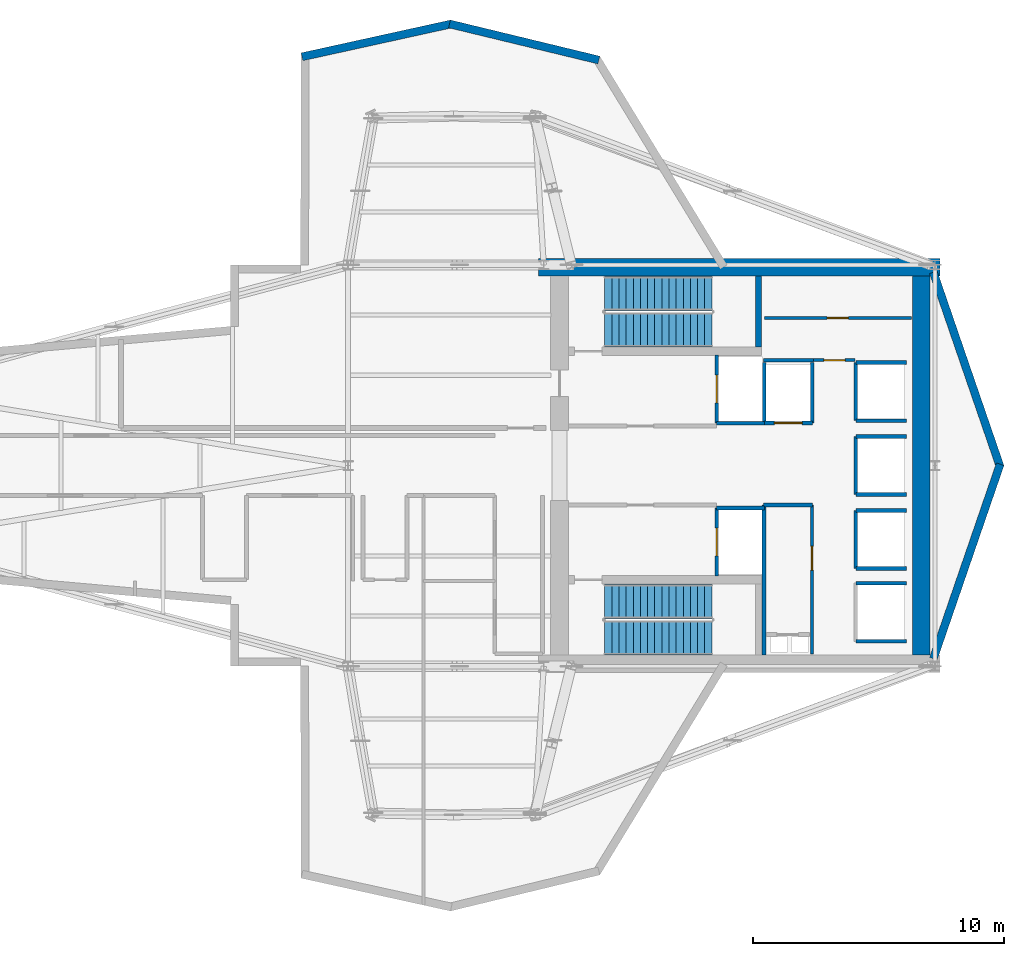
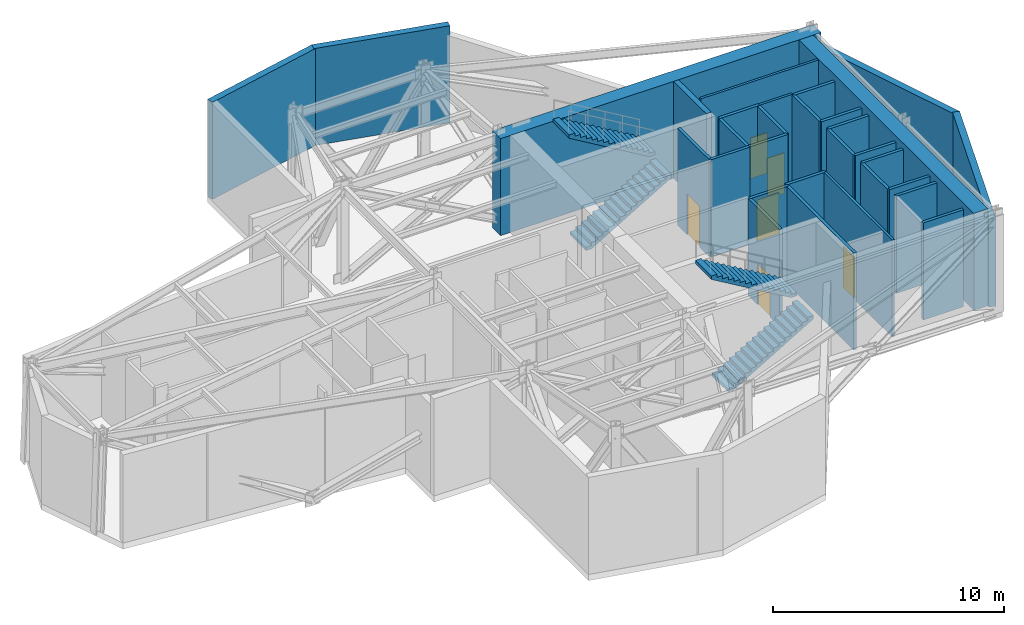
# One storey, part 4 of 5: 31 walls, 6 doors, 4 stair flights, 6 openings, 2 elements without a shape of their own.
"""IFC4 building model written with IfcOpenShell, lengths in metres."""

from ifc_helpers import new_model, si_unit, direction, frame, frame_2d, origin, place, context, subcontext, project, spatial, polyline, rectangle, outline, extrude, material, layer, layer_set, type_object, element, fill, aggregate, save


model = new_model("IFC4")

# Units and contexts
model_context = context("Model", 3, precision=1e-05, world=origin(), true_north=direction((0.0, 1.0)))
body_context = subcontext(model_context, "Body", "Model", "MODEL_VIEW")
ifc_project = project(units=[si_unit("LENGTHUNIT", "METRE"), si_unit("AREAUNIT", "SQUARE_METRE"), si_unit("VOLUMEUNIT", "CUBIC_METRE"), si_unit("PLANEANGLEUNIT", "RADIAN"), si_unit("MASSUNIT", "GRAM", prefix="KILO")], contexts=[model_context])

# Site, building, storey
site_placement = place(None, origin())
site = spatial("IfcSite", under=ifc_project, at=site_placement, CompositionType="ELEMENT")
building_placement = place(site_placement, origin())
building = spatial("IfcBuilding", under=site, at=building_placement, Name="Veymaron Broadcast Tower", CompositionType="ELEMENT")
storey_placement = place(building_placement, frame((0.0, 0.0, 181.64990234375)))
storey = spatial("IfcBuildingStorey", under=building, at=storey_placement, Name="L42", CompositionType="ELEMENT", Elevation=181.64990234375)

# Walls
ifc_material_1 = material(Name="Precast concrete C40/50", Category="concrete")
ifc_layer_1 = layer(ifc_material_1, 0.320068359375)
ifc_layer_set_1 = layer_set([ifc_layer_1], Name="Precast concrete C40/50")
wall_type_1 = type_object("IfcWallType", Name="WALL-EXT-320", PredefinedType="STANDARD", material=ifc_layer_set_1)
for number, where, z_axis, x_axis, name in (
    (1, (54.532958984375, 16.29736328125, 0.0), (0.0, 0.0, 1.0), (0.325198749636, 0.945645691174, 0.0), "L42 mechanical belt-truss facade band 2-1"),
    (2, (57.19970703125, 23.947998046875, 0.0), (0.0, 0.0, 1.0), (-0.325198749636, 0.945645691174, 0.0), "L42 mechanical belt-truss facade band 3-1"),
):
    element("IfcWall", number, at=place(storey_placement, frame(where, z_axis=z_axis, x_axis=x_axis)), inside=storey, type_object=wall_type_1, Name=name, PredefinedType="STANDARD", context=body_context, shape_type="SweptSolid", body=[
        extrude(rectangle(XDim=8.200439453125, YDim=0.320068359375, at=frame_2d((4.10009765625, 0.0))), origin(), (0.0, 0.0, 1.0), 4.649169921875),
    ])
wall_1_placement = place(storey_placement, frame((41.19970703125, 40.16650390625, 0.0), z_axis=(0.0, 0.0, 1.0), x_axis=(-0.971945697545, 0.235205359257, 0.0)))
element("IfcWall", 3, at=wall_1_placement, inside=storey, type_object=wall_type_1, Name="L42 mechanical belt-truss facade band 6-1", PredefinedType="STANDARD", context=body_context, shape_type="SweptSolid", body=[
    extrude(rectangle(XDim=6.126220703125, YDim=0.320068359375, at=frame_2d((3.06298828125, 0.0))), origin(), (0.0, 0.0, 1.0), 5.1201171875),
])
wall_2_placement = place(storey_placement, frame((35.3173828125, 41.606689453125, 0.0), z_axis=(0.0, 0.0, 1.0), x_axis=(-0.976640937295, -0.21487782482, 0.0)))
element("IfcWall", 4, at=wall_2_placement, inside=storey, type_object=wall_type_1, Name="L42 mechanical belt-truss facade band 7-1", PredefinedType="STANDARD", context=body_context, shape_type="SweptSolid", body=[
    extrude(rectangle(XDim=6.0966796875, YDim=0.320068359375, at=frame_2d((3.04833984375, 0.0))), origin(), (0.0, 0.0, 1.0), 5.1201171875),
])

# Wall, opening, door
ifc_material_2 = material(Name="Gypsum fireboard and steel stud framing", Category="steel")
ifc_layer_2 = layer(ifc_material_2, 0.14990234375)
ifc_layer_set_2 = layer_set([ifc_layer_2], Name="Gypsum fireboard and steel stud framing")
wall_type_2 = type_object("IfcWallType", Name="WALL-FIRE-150", PredefinedType="PARTITIONING", material=ifc_layer_set_2)
wall_3_placement = place(storey_placement, frame((45.89501953125, 25.68994140625, 0.0), z_axis=(0.0, 0.0, 1.0), x_axis=(0.0, 1.0, 0.0)))
wall_3 = element("IfcWall", 5, at=wall_3_placement, inside=storey, type_object=wall_type_2, Name="L42 partition IW-L42-SHW-FFL-1", PredefinedType="PARTITIONING", context=body_context, shape_type="SweptSolid", body=[
    extrude(rectangle(XDim=2.719970703125, YDim=0.14990234375, at=frame_2d((1.35986328125, 0.0))), origin(), (0.0, 0.0, 1.0), 5.1201171875),
])
opening_1_placement = place(wall_3_placement, frame((0.81005859375, 0.0, 0.0)))
opening_1 = element("IfcOpeningElement", 6, at=opening_1_placement, cuts=wall_3, Name="Opening LD", PredefinedType="OPENING", context=body_context, shape_type="SweptSolid", body=[
    extrude(rectangle(XDim=1.10009765625, YDim=2.14990234375, at=frame_2d((0.550048828125, 1.074951171875))), frame((0.0, 0.0849609375, 0.0), z_axis=(0.0, -1.0, 0.0), x_axis=(1.0, 0.0, 0.0)), (0.0, 0.0, 1.0), 0.169921875),
])
ifc_material_3 = material(Name="Brushed stainless steel AISI 304", Category="steel")
door_type_1 = type_object("IfcDoorType", Name="DOOR-LIFT-1100", OperationType="DOUBLE_DOOR_SLIDING", PredefinedType="DOOR", material=ifc_material_3)
door_1_placement = place(opening_1_placement, frame((1.10009765625, 0.0, 0.0), z_axis=(0.0, 0.0, 1.0), x_axis=(-1.0, 0.0, 0.0)))
door_1 = element("IfcDoor", 7, at=door_1_placement, inside=storey, type_object=door_type_1, Name="L42 door LD-L42-FFL-1", OperationType="DOUBLE_DOOR_SLIDING", OverallHeight=2.14990234375, OverallWidth=1.10009765625, PredefinedType="DOOR", context=body_context, shape_type="SweptSolid", body=[
    extrude(rectangle(XDim=1.10009765625, YDim=2.14990234375, at=frame_2d((0.550048828125, 1.074951171875))), frame((0.0, 0.02490234375, 0.0), z_axis=(0.0, -1.0, 0.0), x_axis=(1.0, 0.0, 0.0)), (0.0, 0.0, 1.0), 0.050048828125),
])
fill(opening_1, door_1)

# Wall
wall_4_placement = place(storey_placement, frame((45.89501953125, 25.68994140625, 0.0), z_axis=(0.0, 0.0, 1.0), x_axis=(1.0, 0.0, 0.0)))
element("IfcWall", 8, at=wall_4_placement, inside=storey, type_object=wall_type_2, Name="L42 partition IW-L42-SHS-FFL-1", PredefinedType="PARTITIONING", context=body_context, shape_type="SweptSolid", body=[
    extrude(rectangle(XDim=1.9150390625, YDim=0.14990234375, at=frame_2d((0.95751953125, 0.0))), origin(), (0.0, 0.0, 1.0), 5.1201171875),
])

# Wall, opening, door
wall_5_placement = place(storey_placement, frame((45.89501953125, 19.590087890625, 0.0), z_axis=(0.0, 0.0, 1.0), x_axis=(0.0, 1.0, 0.0)))
wall_5 = element("IfcWall", 9, at=wall_5_placement, inside=storey, type_object=wall_type_2, Name="L42 partition IW-L42-SHW-FFL-2", PredefinedType="PARTITIONING", context=body_context, shape_type="SweptSolid", body=[
    extrude(rectangle(XDim=2.719970703125, YDim=0.14990234375, at=frame_2d((1.35986328125, 0.0))), origin(), (0.0, 0.0, 1.0), 5.1201171875),
])
opening_2_placement = place(wall_5_placement, frame((0.81005859375, 0.0, 0.0)))
opening_2 = element("IfcOpeningElement", 10, at=opening_2_placement, cuts=wall_5, Name="Opening LD", PredefinedType="OPENING", context=body_context, shape_type="SweptSolid", body=[
    extrude(rectangle(XDim=1.10009765625, YDim=2.14990234375, at=frame_2d((0.550048828125, 1.074951171875))), frame((0.0, 0.0849609375, 0.0), z_axis=(0.0, -1.0, 0.0), x_axis=(1.0, 0.0, 0.0)), (0.0, 0.0, 1.0), 0.169921875),
])
door_2_placement = place(opening_2_placement, frame((1.10009765625, 0.0, 0.0), z_axis=(0.0, 0.0, 1.0), x_axis=(-1.0, 0.0, 0.0)))
door_2 = element("IfcDoor", 11, at=door_2_placement, inside=storey, type_object=door_type_1, Name="L42 door LD-L42-FFL-2", OperationType="DOUBLE_DOOR_SLIDING", OverallHeight=2.14990234375, OverallWidth=1.10009765625, PredefinedType="DOOR", context=body_context, shape_type="SweptSolid", body=[
    extrude(rectangle(XDim=1.10009765625, YDim=2.14990234375, at=frame_2d((0.550048828125, 1.074951171875))), frame((0.0, 0.02490234375, 0.0), z_axis=(0.0, -1.0, 0.0), x_axis=(1.0, 0.0, 0.0)), (0.0, 0.0, 1.0), 0.050048828125),
])
fill(opening_2, door_2)

# Wall
wall_6_placement = place(storey_placement, frame((45.89501953125, 22.31005859375, 0.0), z_axis=(0.0, 0.0, 1.0), x_axis=(1.0, 0.0, 0.0)))
element("IfcWall", 12, at=wall_6_placement, inside=storey, type_object=wall_type_2, Name="L42 partition IW-L42-SHN-FFL-2", PredefinedType="PARTITIONING", context=body_context, shape_type="SweptSolid", body=[
    extrude(rectangle(XDim=1.9150390625, YDim=0.14990234375, at=frame_2d((0.95751953125, 0.0))), origin(), (0.0, 0.0, 1.0), 5.1201171875),
])

# Wall, opening, door
wall_7_placement = place(storey_placement, frame((47.7900390625, 25.695068359375, 0.0), z_axis=(0.0, 0.0, 1.0), x_axis=(1.0, 0.0, 0.0)))
wall_7 = element("IfcWall", 13, at=wall_7_placement, inside=storey, type_object=wall_type_2, Name="L42 partition IW-L42-SHS-SL-1", PredefinedType="PARTITIONING", context=body_context, shape_type="SweptSolid", body=[
    extrude(rectangle(XDim=1.919921875, YDim=0.14990234375, at=frame_2d((0.9599609375, 0.0))), origin(), (0.0, 0.0, 1.0), 5.1201171875),
])
opening_3_placement = place(wall_7_placement, frame((0.409912109375, 0.0, 0.0)))
opening_3 = element("IfcOpeningElement", 14, at=opening_3_placement, cuts=wall_7, Name="Opening LD", PredefinedType="OPENING", context=body_context, shape_type="SweptSolid", body=[
    extrude(rectangle(XDim=1.10009765625, YDim=2.14990234375, at=frame_2d((0.550048828125, 1.074951171875))), frame((0.0, 0.0849609375, 0.0), z_axis=(0.0, -1.0, 0.0), x_axis=(1.0, 0.0, 0.0)), (0.0, 0.0, 1.0), 0.169921875),
])
door_3_placement = place(opening_3_placement, frame((1.10009765625, 0.0, 0.0), z_axis=(0.0, 0.0, 1.0), x_axis=(-1.0, 0.0, 0.0)))
door_3 = element("IfcDoor", 15, at=door_3_placement, inside=storey, type_object=door_type_1, Name="L42 door LD-L42-SL-1", OperationType="DOUBLE_DOOR_SLIDING", OverallHeight=2.14990234375, OverallWidth=1.10009765625, PredefinedType="DOOR", context=body_context, shape_type="SweptSolid", body=[
    extrude(rectangle(XDim=1.10009765625, YDim=2.14990234375, at=frame_2d((0.550048828125, 1.074951171875))), frame((0.0, 0.02490234375, 0.0), z_axis=(0.0, -1.0, 0.0), x_axis=(1.0, 0.0, 0.0)), (0.0, 0.0, 1.0), 0.050048828125),
])
fill(opening_3, door_3)

# Walls
for number, where, z_axis, x_axis, name in (
    (16, (47.7900390625, 25.695068359375, 0.0), (0.0, 0.0, 1.0), (0.0, 1.0, 0.0), "L42 partition IW-L42-SHW-SL-1"),
    (17, (49.7099609375, 25.695068359375, 0.0), (0.0, 0.0, 1.0), (0.0, 1.0, 0.0), "L42 partition IW-L42-SHE-SL-1"),
):
    element("IfcWall", number, at=place(storey_placement, frame(where, z_axis=z_axis, x_axis=x_axis)), inside=storey, type_object=wall_type_2, Name=name, PredefinedType="PARTITIONING", context=body_context, shape_type="SweptSolid", body=[
        extrude(rectangle(XDim=2.4150390625, YDim=0.14990234375, at=frame_2d((1.20751953125, 0.0))), origin(), (0.0, 0.0, 1.0), 5.1201171875),
    ])
wall_8_placement = place(storey_placement, frame((51.445068359375, 25.7900390625, 0.0), z_axis=(0.0, 0.0, 1.0), x_axis=(0.0, 1.0, 0.0)))
element("IfcWall", 18, at=wall_8_placement, inside=storey, type_object=wall_type_2, Name="L42 partition IW-L42-SHW-PM1", PredefinedType="PARTITIONING", context=body_context, shape_type="SweptSolid", body=[
    extrude(rectangle(XDim=2.320068359375, YDim=0.14990234375, at=frame_2d((1.16015625, 0.0))), origin(), (0.0, 0.0, 1.0), 5.1201171875),
])
for number, where, z_axis, x_axis, name in (
    (19, (51.445068359375, 25.7900390625, 0.0), (0.0, 0.0, 1.0), (1.0, 0.0, 0.0), "L42 partition IW-L42-SHS-PM1"),
    (20, (51.445068359375, 28.110107421875, 0.0), (0.0, 0.0, 1.0), (1.0, 0.0, 0.0), "L42 partition IW-L42-SHN-PM1"),
):
    element("IfcWall", number, at=place(storey_placement, frame(where, z_axis=z_axis, x_axis=x_axis)), inside=storey, type_object=wall_type_2, Name=name, PredefinedType="PARTITIONING", context=body_context, shape_type="SweptSolid", body=[
        extrude(rectangle(XDim=2.014892578125, YDim=0.14990234375, at=frame_2d((1.00732421875, 0.0))), origin(), (0.0, 0.0, 1.0), 5.1201171875),
    ])
wall_9_placement = place(storey_placement, frame((51.445068359375, 19.889892578125, 0.0), z_axis=(0.0, 0.0, 1.0), x_axis=(0.0, 1.0, 0.0)))
element("IfcWall", 21, at=wall_9_placement, inside=storey, type_object=wall_type_2, Name="L42 partition IW-L42-SHW-PM2", PredefinedType="PARTITIONING", context=body_context, shape_type="SweptSolid", body=[
    extrude(rectangle(XDim=2.320068359375, YDim=0.14990234375, at=frame_2d((1.16015625, 0.0))), origin(), (0.0, 0.0, 1.0), 5.1201171875),
])
for number, where, z_axis, x_axis, name in (
    (22, (51.445068359375, 19.889892578125, 0.0), (0.0, 0.0, 1.0), (1.0, 0.0, 0.0), "L42 partition IW-L42-SHS-PM2"),
    (23, (51.445068359375, 22.2099609375, 0.0), (0.0, 0.0, 1.0), (1.0, 0.0, 0.0), "L42 partition IW-L42-SHN-PM2"),
):
    element("IfcWall", number, at=place(storey_placement, frame(where, z_axis=z_axis, x_axis=x_axis)), inside=storey, type_object=wall_type_2, Name=name, PredefinedType="PARTITIONING", context=body_context, shape_type="SweptSolid", body=[
        extrude(rectangle(XDim=2.014892578125, YDim=0.14990234375, at=frame_2d((1.00732421875, 0.0))), origin(), (0.0, 0.0, 1.0), 5.1201171875),
    ])
wall_10_placement = place(storey_placement, frame((51.445068359375, 22.840087890625, 0.0), z_axis=(0.0, 0.0, 1.0), x_axis=(0.0, 1.0, 0.0)))
element("IfcWall", 24, at=wall_10_placement, inside=storey, type_object=wall_type_2, Name="L42 partition IW-L42-SHW-PM3", PredefinedType="PARTITIONING", context=body_context, shape_type="SweptSolid", body=[
    extrude(rectangle(XDim=2.31982421875, YDim=0.14990234375, at=frame_2d((1.159912109375, 0.0))), origin(), (0.0, 0.0, 1.0), 5.1201171875),
])
for number, where, z_axis, x_axis, name in (
    (25, (51.445068359375, 22.840087890625, 0.0), (0.0, 0.0, 1.0), (1.0, 0.0, 0.0), "L42 partition IW-L42-SHS-PM3"),
    (26, (51.445068359375, 25.159912109375, 0.0), (0.0, 0.0, 1.0), (1.0, 0.0, 0.0), "L42 partition IW-L42-SHN-PM3"),
    (27, (51.445068359375, 16.989990234375, 0.0), (0.0, 0.0, 1.0), (1.0, 0.0, 0.0), "L42 partition IW-L42-SHS-PH1"),
    (28, (51.445068359375, 19.31005859375, 0.0), (0.0, 0.0, 1.0), (1.0, 0.0, 0.0), "L42 partition IW-L42-SHN-PH1"),
):
    element("IfcWall", number, at=place(storey_placement, frame(where, z_axis=z_axis, x_axis=x_axis)), inside=storey, type_object=wall_type_2, Name=name, PredefinedType="PARTITIONING", context=body_context, shape_type="SweptSolid", body=[
        extrude(rectangle(XDim=2.014892578125, YDim=0.14990234375, at=frame_2d((1.00732421875, 0.0))), origin(), (0.0, 0.0, 1.0), 5.1201171875),
    ])
wall_11_placement = place(storey_placement, frame((47.760009765625, 22.425048828125, 0.0), z_axis=(0.0, 0.0, 1.0), x_axis=(1.0, 0.0, 0.0)))
element("IfcWall", 29, at=wall_11_placement, inside=storey, type_object=wall_type_2, Name="L42 partition IW-L42-SM-N", PredefinedType="PARTITIONING", context=body_context, shape_type="SweptSolid", body=[
    extrude(rectangle(XDim=1.9599609375, YDim=0.14990234375, at=frame_2d((0.97998046875, 0.0))), origin(), (0.0, 0.0, 1.0), 5.1201171875),
])
wall_12_placement = place(storey_placement, frame((47.780029296875, 16.449951171875, 0.0), z_axis=(0.0, 0.0, 1.0), x_axis=(0.0, 1.0, 0.0)))
element("IfcWall", 30, at=wall_12_placement, inside=storey, type_object=wall_type_2, Name="L42 partition IW-L42-SM-W", PredefinedType="PARTITIONING", context=body_context, shape_type="SweptSolid", body=[
    extrude(rectangle(XDim=5.97509765625, YDim=0.14990234375, at=frame_2d((2.987548828125, 0.0))), origin(), (0.0, 0.0, 1.0), 5.1201171875),
])
wall_13_placement = place(storey_placement, frame((47.760009765625, 28.199951171875, 0.0), z_axis=(0.0, 0.0, 1.0), x_axis=(1.0, 0.0, 0.0)))
element("IfcWall", 31, at=wall_13_placement, inside=storey, type_object=wall_type_2, Name="L42 partition IW-L42-F1-SW", PredefinedType="PARTITIONING", context=body_context, shape_type="SweptSolid", body=[
    extrude(rectangle(XDim=1.989990234375, YDim=0.14990234375, at=frame_2d((0.9951171875, 0.0))), origin(), (0.0, 0.0, 1.0), 5.1201171875),
])

# Wall, opening, door
ifc_material_4 = material(Name="Acoustic gypsum board and galvanized stud", Category="gypsum")
ifc_layer_3 = layer(ifc_material_4, 0.1201171875)
ifc_layer_set_3 = layer_set([ifc_layer_3], Name="Acoustic gypsum board and galvanized stud")
wall_type_3 = type_object("IfcWallType", Name="WALL-PART-120", PredefinedType="PARTITIONING", material=ifc_layer_set_3)
wall_14_placement = place(storey_placement, frame((49.699951171875, 16.47998046875, 0.0), z_axis=(0.0, 0.0, 1.0), x_axis=(0.0, 1.0, 0.0)))
wall_14 = element("IfcWall", 32, at=wall_14_placement, inside=storey, type_object=wall_type_3, Name="L42 partition IW-L42-SM-E", PredefinedType="PARTITIONING", context=body_context, shape_type="SweptSolid", body=[
    extrude(rectangle(XDim=5.945068359375, YDim=0.1201171875, at=frame_2d((2.97265625, 0.0))), origin(), (0.0, 0.0, 1.0), 5.1201171875),
])
opening_4_placement = place(wall_14_placement, frame((3.35009765625, 0.0, 0.0)))
opening_4 = element("IfcOpeningElement", 33, at=opening_4_placement, cuts=wall_14, Name="Opening ID-RM1", PredefinedType="OPENING", context=body_context, shape_type="SweptSolid", body=[
    extrude(rectangle(XDim=0.949951171875, YDim=2.14990234375, at=frame_2d((0.47509765625, 1.074951171875))), frame((0.0, 0.070068359375, 0.0), z_axis=(0.0, -1.0, 0.0), x_axis=(1.0, 0.0, 0.0)), (0.0, 0.0, 1.0), 0.14013671875),
])
ifc_material_5 = material(Name="Acoustic solid-core European oak veneer timber", Category="wood")
door_type_2 = type_object("IfcDoorType", Name="DOOR-INT-950", OperationType="NOTDEFINED", PredefinedType="DOOR", material=ifc_material_5)
door_4_placement = place(opening_4_placement, frame((0.949951171875, 0.0, 0.0), z_axis=(0.0, 0.0, 1.0), x_axis=(-1.0, 0.0, 0.0)))
door_4 = element("IfcDoor", 34, at=door_4_placement, inside=storey, type_object=door_type_2, Name="L42 door DR-L42-AWC", OperationType="SINGLE_SWING_LEFT", OverallHeight=2.14990234375, OverallWidth=0.949951171875, PredefinedType="DOOR", context=body_context, shape_type="SweptSolid", body=[
    extrude(rectangle(XDim=0.949951171875, YDim=2.14990234375, at=frame_2d((0.47509765625, 1.074951171875))), frame((0.0, 0.02490234375, 0.0), z_axis=(0.0, -1.0, 0.0), x_axis=(1.0, 0.0, 0.0)), (0.0, 0.0, 1.0), 0.050048828125),
])
fill(opening_4, door_4)

wall_15_placement = place(storey_placement, frame((49.75, 28.199951171875, 0.0), z_axis=(0.0, 0.0, 1.0), x_axis=(1.0, 0.0, 0.0)))
wall_15 = element("IfcWall", 35, at=wall_15_placement, inside=storey, type_object=wall_type_3, Name="L42 partition IW-L42-F1-S", PredefinedType="PARTITIONING", context=body_context, shape_type="SweptSolid", body=[
    extrude(rectangle(XDim=1.669921875, YDim=0.1201171875, at=frame_2d((0.8349609375, 0.0))), origin(), (0.0, 0.0, 1.0), 5.1201171875),
])
opening_5_placement = place(wall_15_placement, frame((0.419921875, 0.0, 0.0)))
opening_5 = element("IfcOpeningElement", 36, at=opening_5_placement, cuts=wall_15, Name="Opening ID-WC1", PredefinedType="OPENING", context=body_context, shape_type="SweptSolid", body=[
    extrude(rectangle(XDim=0.85009765625, YDim=2.14990234375, at=frame_2d((0.425048828125, 1.074951171875))), frame((0.0, 0.070068359375, 0.0), z_axis=(0.0, -1.0, 0.0), x_axis=(1.0, 0.0, 0.0)), (0.0, 0.0, 1.0), 0.14013671875),
])
ifc_material_6 = material(Name="Moisture-resistant high-pressure laminate timber", Category="wood")
door_type_3 = type_object("IfcDoorType", Name="DOOR-INT-850", OperationType="NOTDEFINED", PredefinedType="DOOR", material=ifc_material_6)
door_5_placement = place(opening_5_placement, origin())
door_5 = element("IfcDoor", 37, at=door_5_placement, inside=storey, type_object=door_type_3, Name="L42 door DR-L42-F1A", OperationType="SINGLE_SWING_LEFT", OverallHeight=2.14990234375, OverallWidth=0.85009765625, PredefinedType="DOOR", context=body_context, shape_type="SweptSolid", body=[
    extrude(rectangle(XDim=0.85009765625, YDim=2.14990234375, at=frame_2d((0.425048828125, 1.074951171875))), frame((0.0, 0.02490234375, 0.0), z_axis=(0.0, -1.0, 0.0), x_axis=(1.0, 0.0, 0.0)), (0.0, 0.0, 1.0), 0.050048828125),
])
fill(opening_5, door_5)

wall_16_placement = place(storey_placement, frame((47.800048828125, 29.8798828125, 0.0), z_axis=(0.0, 0.0, 1.0), x_axis=(1.0, 0.0, 0.0)))
wall_16 = element("IfcWall", 38, at=wall_16_placement, inside=storey, type_object=wall_type_3, Name="L42 partition IW-L42-F1-MY", PredefinedType="PARTITIONING", context=body_context, shape_type="SweptSolid", body=[
    extrude(rectangle(XDim=5.85986328125, YDim=0.1201171875, at=frame_2d((2.929931640625, 0.0))), origin(), (0.0, 0.0, 1.0), 5.1201171875),
])
opening_6_placement = place(wall_16_placement, frame((2.5, 0.0, 0.0)))
opening_6 = element("IfcOpeningElement", 39, at=opening_6_placement, cuts=wall_16, Name="Opening ID-WC1", PredefinedType="OPENING", context=body_context, shape_type="SweptSolid", body=[
    extrude(rectangle(XDim=0.85009765625, YDim=2.14990234375, at=frame_2d((0.425048828125, 1.074951171875))), frame((0.0, 0.070068359375, 0.0), z_axis=(0.0, -1.0, 0.0), x_axis=(1.0, 0.0, 0.0)), (0.0, 0.0, 1.0), 0.14013671875),
])
door_6_placement = place(opening_6_placement, origin())
door_6 = element("IfcDoor", 40, at=door_6_placement, inside=storey, type_object=door_type_3, Name="L42 door DR-L42-F1B", OperationType="SINGLE_SWING_RIGHT", OverallHeight=2.14990234375, OverallWidth=0.85009765625, PredefinedType="DOOR", context=body_context, shape_type="SweptSolid", body=[
    extrude(rectangle(XDim=0.85009765625, YDim=2.14990234375, at=frame_2d((0.425048828125, 1.074951171875))), frame((0.0, 0.02490234375, 0.0), z_axis=(0.0, -1.0, 0.0), x_axis=(1.0, 0.0, 0.0)), (0.0, 0.0, 1.0), 0.050048828125),
])
fill(opening_6, door_6)

# Walls
ifc_material_7 = material(Name="Concrete C50/60", Category="concrete")
ifc_layer_4 = layer(ifc_material_7, 0.25)
ifc_layer_set_4 = layer_set([ifc_layer_4], Name="Concrete C50/60")
wall_type_4 = type_object("IfcWallType", Name="WALL-SHEAR-250", PredefinedType="SHEAR", material=ifc_layer_set_4)
wall_17_placement = place(storey_placement, frame((47.56494140625, 28.72998046875, 0.0), z_axis=(0.0, 0.0, 1.0), x_axis=(0.0, 1.0, 0.0)))
element("IfcWall", 41, at=wall_17_placement, inside=storey, type_object=wall_type_4, Name="L42 Core Wall north stair east shear", PredefinedType="SHEAR", context=body_context, shape_type="SweptSolid", body=[
    extrude(rectangle(XDim=2.820068359375, YDim=0.25, at=frame_2d((1.41015625, 0.0))), origin(), (0.0, 0.0, 1.0), 5.1201171875),
])
ifc_material_8 = material(Name="Concrete C60/75", Category="concrete")
ifc_layer_5 = layer(ifc_material_8, 0.699951171875)
ifc_layer_set_5 = layer_set([ifc_layer_5], Name="Concrete C60/75")
wall_type_5 = type_object("IfcWallType", Name="WALL-SHEAR-700", PredefinedType="SHEAR", material=ifc_layer_set_5)
wall_18_placement = place(storey_placement, frame((38.800048828125, 31.89990234375, 0.0), z_axis=(0.0, 0.0, 1.0), x_axis=(1.0, 0.0, 0.0)))
element("IfcWall", 42, at=wall_18_placement, inside=storey, type_object=wall_type_5, Name="L42 Core Wall north shear", PredefinedType="SHEAR", context=body_context, shape_type="SweptSolid", body=[
    extrude(rectangle(XDim=16.0, YDim=0.699951171875, at=frame_2d((8.0, 0.0))), origin(), (0.0, 0.0, 1.0), 5.1201171875),
])
wall_19_placement = place(storey_placement, frame((54.050048828125, 16.449951171875, 0.0), z_axis=(0.0, 0.0, 1.0), x_axis=(0.0, 1.0, 0.0)))
element("IfcWall", 43, at=wall_19_placement, inside=storey, type_object=wall_type_5, Name="L42 Core Wall east shear", PredefinedType="SHEAR", context=body_context, shape_type="SweptSolid", body=[
    extrude(rectangle(XDim=15.10009765625, YDim=0.699951171875, at=frame_2d((7.550048828125, 0.0))), origin(), (0.0, 0.0, 1.0), 5.1201171875),
])

# Stair, stair flights
stair_type_1 = type_object("IfcStairType", Name="STAIR-CORE-1", PredefinedType="HALF_TURN_STAIR", material=ifc_material_7)
stair_1_placement = place(storey_placement, origin())
stair_1 = element("IfcStair", 44, at=stair_1_placement, inside=storey, type_object=stair_type_1, Name="L42 North protected dog-leg exit stair ST1", PredefinedType="HALF_TURN_STAIR")
ifc_material_9 = material(Name="Precast concrete C50/60", Category="concrete")
stair_flight_type = type_object("IfcStairFlightType", Name="FLT-CORE-RC", PredefinedType="STRAIGHT", material=ifc_material_9)
stair_flight_1_placement = place(storey_placement, frame((41.429931640625, 29.419921875, 0.0), z_axis=(0.0, 0.0, 1.0), x_axis=(1.0, 0.0, 0.0)))
stair_flight_1 = element("IfcStairFlight", 45, at=stair_flight_1_placement, type_object=stair_flight_type, Name="ST1 flight 1", NumberOfRisers=16, NumberOfTreads=15, PredefinedType="STRAIGHT", RiserHeight=0.16875, TreadLength=0.285, context=body_context, shape_type="SweptSolid", body=[
    extrude(outline(polyline([(0.0, 0.0), (0.0, 0.168701171875), (0.284912109375, 0.168701171875), (0.284912109375, 0.33740234375), (0.570068359375, 0.33740234375), (0.570068359375, 0.50634765625), (0.85498046875, 0.50634765625), (0.85498046875, 0.675048828125), (1.139892578125, 0.675048828125), (1.139892578125, 0.84375), (1.425048828125, 0.84375), (1.425048828125, 1.012451171875), (1.7099609375, 1.012451171875), (1.7099609375, 1.18115234375), (1.9951171875, 1.18115234375), (1.9951171875, 1.35009765625), (2.280029296875, 1.35009765625), (2.280029296875, 1.518798828125), (2.56494140625, 1.518798828125), (2.56494140625, 1.6875), (2.85009765625, 1.6875), (2.85009765625, 1.856201171875), (3.135009765625, 1.856201171875), (3.135009765625, 2.02490234375), (3.419921875, 2.02490234375), (3.419921875, 2.19384765625), (3.705078125, 2.19384765625), (3.705078125, 2.362548828125), (3.989990234375, 2.362548828125), (3.989990234375, 2.53125), (4.27490234375, 2.53125), (4.27490234375, 2.699951171875), (4.27490234375, 2.35693359375), (0.294189453125, 0.0), (0.0, 0.0)])), frame((0.0, 0.68994140625, 0.0), z_axis=(0.0, -1.0, 0.0), x_axis=(1.0, 0.0, 0.0)), (0.0, 0.0, 1.0), 1.3798828125),
])
stair_flight_2_placement = place(storey_placement, frame((45.705078125, 30.860107421875, 2.7001953125), z_axis=(0.0, 0.0, 1.0), x_axis=(-1.0, 0.0, 0.0)))
stair_flight_2 = element("IfcStairFlight", 46, at=stair_flight_2_placement, type_object=stair_flight_type, Name="ST1 flight 2", NumberOfRisers=16, NumberOfTreads=15, PredefinedType="STRAIGHT", RiserHeight=0.16875, TreadLength=0.285, context=body_context, shape_type="SweptSolid", body=[
    extrude(outline(polyline([(0.0, 0.0), (0.0, 0.168701171875), (0.284912109375, 0.168701171875), (0.284912109375, 0.33740234375), (0.570068359375, 0.33740234375), (0.570068359375, 0.50634765625), (0.85498046875, 0.50634765625), (0.85498046875, 0.675048828125), (1.139892578125, 0.675048828125), (1.139892578125, 0.84375), (1.425048828125, 0.84375), (1.425048828125, 1.012451171875), (1.7099609375, 1.012451171875), (1.7099609375, 1.18115234375), (1.9951171875, 1.18115234375), (1.9951171875, 1.35009765625), (2.280029296875, 1.35009765625), (2.280029296875, 1.518798828125), (2.56494140625, 1.518798828125), (2.56494140625, 1.6875), (2.85009765625, 1.6875), (2.85009765625, 1.856201171875), (3.135009765625, 1.856201171875), (3.135009765625, 2.02490234375), (3.419921875, 2.02490234375), (3.419921875, 2.19384765625), (3.705078125, 2.19384765625), (3.705078125, 2.362548828125), (3.989990234375, 2.362548828125), (3.989990234375, 2.53125), (4.27490234375, 2.53125), (4.27490234375, 2.699951171875), (4.27490234375, 2.35693359375), (0.294189453125, 0.0), (0.0, 0.0)])), frame((0.0, 0.68994140625, 0.0), z_axis=(0.0, -1.0, 0.0), x_axis=(1.0, 0.0, 0.0)), (0.0, 0.0, 1.0), 1.3798828125),
])
aggregate(stair_1, [stair_flight_1, stair_flight_2])

stair_type_2 = type_object("IfcStairType", Name="STAIR-CORE-2", PredefinedType="HALF_TURN_STAIR", material=ifc_material_7)
stair_2_placement = place(storey_placement, origin())
stair_2 = element("IfcStair", 47, at=stair_2_placement, inside=storey, type_object=stair_type_2, Name="L42 South protected dog-leg exit stair ST2", PredefinedType="HALF_TURN_STAIR")
stair_flight_3_placement = place(storey_placement, frame((41.429931640625, 17.139892578125, 0.0), z_axis=(0.0, 0.0, 1.0), x_axis=(1.0, 0.0, 0.0)))
stair_flight_3 = element("IfcStairFlight", 48, at=stair_flight_3_placement, type_object=stair_flight_type, Name="ST2 flight 1", NumberOfRisers=16, NumberOfTreads=15, PredefinedType="STRAIGHT", RiserHeight=0.16875, TreadLength=0.285, context=body_context, shape_type="SweptSolid", body=[
    extrude(outline(polyline([(0.0, 0.0), (0.0, 0.168701171875), (0.284912109375, 0.168701171875), (0.284912109375, 0.33740234375), (0.570068359375, 0.33740234375), (0.570068359375, 0.50634765625), (0.85498046875, 0.50634765625), (0.85498046875, 0.675048828125), (1.139892578125, 0.675048828125), (1.139892578125, 0.84375), (1.425048828125, 0.84375), (1.425048828125, 1.012451171875), (1.7099609375, 1.012451171875), (1.7099609375, 1.18115234375), (1.9951171875, 1.18115234375), (1.9951171875, 1.35009765625), (2.280029296875, 1.35009765625), (2.280029296875, 1.518798828125), (2.56494140625, 1.518798828125), (2.56494140625, 1.6875), (2.85009765625, 1.6875), (2.85009765625, 1.856201171875), (3.135009765625, 1.856201171875), (3.135009765625, 2.02490234375), (3.419921875, 2.02490234375), (3.419921875, 2.19384765625), (3.705078125, 2.19384765625), (3.705078125, 2.362548828125), (3.989990234375, 2.362548828125), (3.989990234375, 2.53125), (4.27490234375, 2.53125), (4.27490234375, 2.699951171875), (4.27490234375, 2.35693359375), (0.294189453125, 0.0), (0.0, 0.0)])), frame((0.0, 0.68994140625, 0.0), z_axis=(0.0, -1.0, 0.0), x_axis=(1.0, 0.0, 0.0)), (0.0, 0.0, 1.0), 1.3798828125),
])
stair_flight_4_placement = place(storey_placement, frame((45.705078125, 18.580078125, 2.7001953125), z_axis=(0.0, 0.0, 1.0), x_axis=(-1.0, 0.0, 0.0)))
stair_flight_4 = element("IfcStairFlight", 49, at=stair_flight_4_placement, type_object=stair_flight_type, Name="ST2 flight 2", NumberOfRisers=16, NumberOfTreads=15, PredefinedType="STRAIGHT", RiserHeight=0.16875, TreadLength=0.285, context=body_context, shape_type="SweptSolid", body=[
    extrude(outline(polyline([(0.0, 0.0), (0.0, 0.168701171875), (0.284912109375, 0.168701171875), (0.284912109375, 0.33740234375), (0.570068359375, 0.33740234375), (0.570068359375, 0.50634765625), (0.85498046875, 0.50634765625), (0.85498046875, 0.675048828125), (1.139892578125, 0.675048828125), (1.139892578125, 0.84375), (1.425048828125, 0.84375), (1.425048828125, 1.012451171875), (1.7099609375, 1.012451171875), (1.7099609375, 1.18115234375), (1.9951171875, 1.18115234375), (1.9951171875, 1.35009765625), (2.280029296875, 1.35009765625), (2.280029296875, 1.518798828125), (2.56494140625, 1.518798828125), (2.56494140625, 1.6875), (2.85009765625, 1.6875), (2.85009765625, 1.856201171875), (3.135009765625, 1.856201171875), (3.135009765625, 2.02490234375), (3.419921875, 2.02490234375), (3.419921875, 2.19384765625), (3.705078125, 2.19384765625), (3.705078125, 2.362548828125), (3.989990234375, 2.362548828125), (3.989990234375, 2.53125), (4.27490234375, 2.53125), (4.27490234375, 2.699951171875), (4.27490234375, 2.35693359375), (0.294189453125, 0.0), (0.0, 0.0)])), frame((0.0, 0.68994140625, 0.0), z_axis=(0.0, -1.0, 0.0), x_axis=(1.0, 0.0, 0.0)), (0.0, 0.0, 1.0), 1.3798828125),
])
aggregate(stair_2, [stair_flight_3, stair_flight_4])

save(model, "model.ifc")
